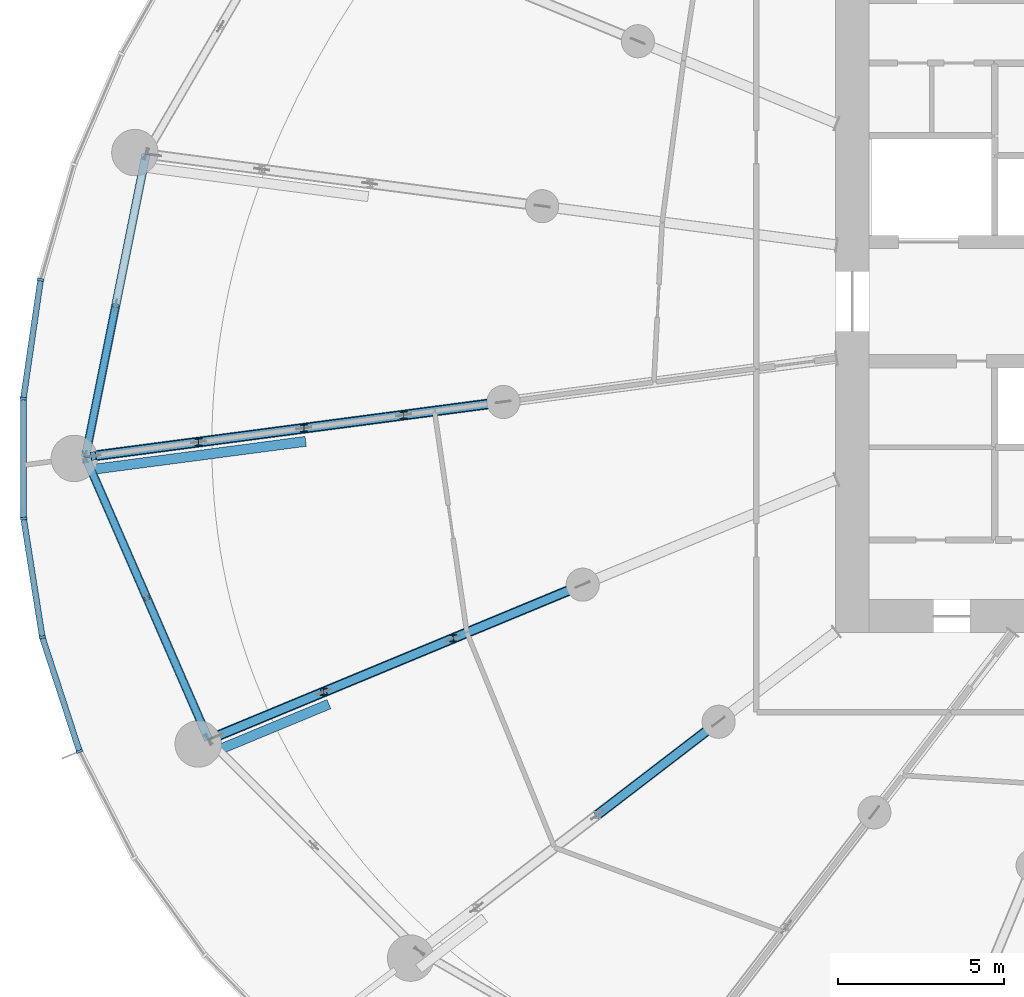
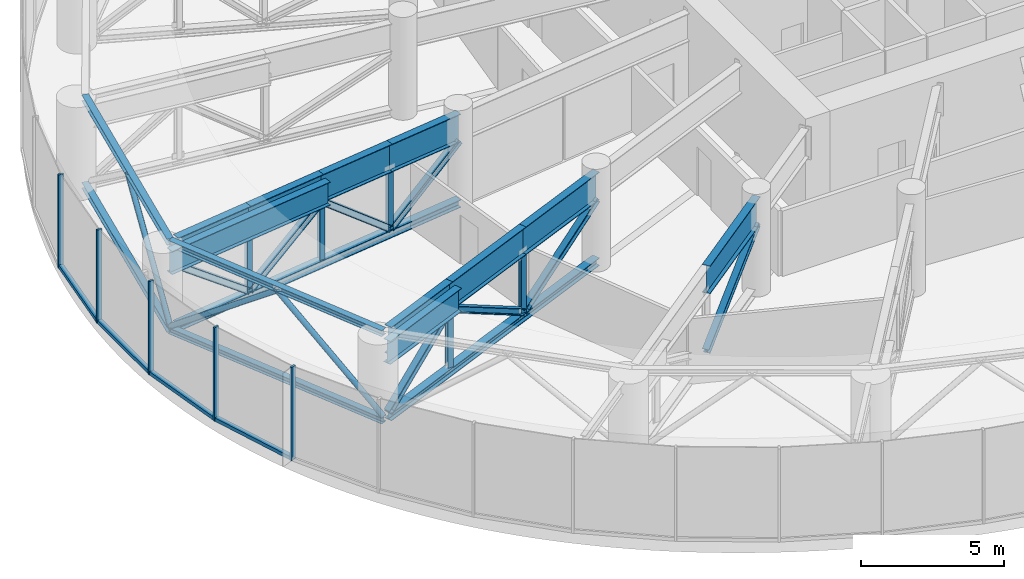
# One storey, part 4 of 42: 31 members, 10 beams, 2 elements without a shape of their own.
"""IFC4 building model written with IfcOpenShell, lengths in metres."""

from ifc_helpers import new_model, si_unit, direction, frame, origin, origin_2d, place, context, subcontext, project, spatial, rectangle, hollow_circle, i_section, extrude, source, transform, mapped, material, layer, layer_set, material_profile, profile_set, type_object, element, aggregate, save


model = new_model("IFC4")

# Units and contexts
model_context = context("Model", 3, precision=1e-05, world=origin(), true_north=direction((0.0, 1.0)))
body_context = subcontext(model_context, "Body", "Model", "MODEL_VIEW")
ifc_project = project(units=[si_unit("LENGTHUNIT", "METRE"), si_unit("AREAUNIT", "SQUARE_METRE"), si_unit("VOLUMEUNIT", "CUBIC_METRE"), si_unit("PLANEANGLEUNIT", "RADIAN"), si_unit("MASSUNIT", "GRAM", prefix="KILO")], contexts=[model_context])

# Site, building, storey
site_placement = place(None, origin())
site = spatial("IfcSite", under=ifc_project, at=site_placement, CompositionType="ELEMENT")
building_placement = place(site_placement, origin())
building = spatial("IfcBuilding", under=site, at=building_placement, Name="Spindrift Exchange Tower", CompositionType="ELEMENT")
storey_placement = place(building_placement, frame((0.0, 0.0, 75.39990234375)))
storey = spatial("IfcBuildingStorey", under=building, at=storey_placement, Name="L17", CompositionType="ELEMENT", Elevation=75.39990234375)

# Beams
ifc_material_1 = material(Name="Steel Grade 300", Category="steel")
ifc_material_profile_1 = material_profile(ifc_material_1, i_section(OverallWidth=0.300048828125, OverallDepth=1.199951171875, WebThickness=0.011962890625, FlangeThickness=0.028076171875, at=origin_2d()), Name="1200WB249")
ifc_profile_set_1 = profile_set([ifc_material_profile_1], Name="Steel Grade 300")
beam_type_1 = type_object("IfcBeamType", Name="Outrigger Truss Transfer Girder 1200WB249 Steel Grade 300", PredefinedType="BEAM", material=ifc_profile_set_1)
shared_shape_1 = source(origin(), body_context, "Body", "SweptSolid", [
    extrude(i_section(OverallWidth=0.300048828125, OverallDepth=1.199951171875, WebThickness=0.011962890625, FlangeThickness=0.028076171875, at=origin_2d()), origin(), (0.0, 0.0, 1.0), 3.037109375),
])
for number, where, z_axis, x_axis, name in (
    (1, (28.966064453125, 44.967529296875, 3.400146484375), (-0.991442800606, -0.130541844348, 0.0), (0.130541844348, -0.991442800606, 0.0), "L17 outrigger truss 13 top chord 2"),
    (2, (25.954833984375, 44.571044921875, 3.400146484375), (-0.991453201107, -0.130462830014, 0.0), (0.130462830014, -0.991453201107, 0.0), "L17 outrigger truss 13 top chord 3"),
):
    element("IfcBeam", number, at=place(storey_placement, frame(where, z_axis=z_axis, x_axis=x_axis)), inside=storey, type_object=beam_type_1, Name=name, PredefinedType="BEAM", context=body_context, shape_type="MappedRepresentation", body=[
        mapped(shared_shape_1, transform((0.0, 0.0, 0.0), scale=1.0)),
    ])

# Members
ifc_material_profile_2 = material_profile(ifc_material_1, i_section(OverallWidth=0.31103515625, OverallDepth=0.326904296875, WebThickness=0.015625, FlangeThickness=0.02490234375, FilletRadius=0.0166015625, at=origin_2d()), Name="310UC158")
ifc_profile_set_2 = profile_set([ifc_material_profile_2], Name="Steel Grade 300")
member_type_1 = type_object("IfcMemberType", Name="Outrigger Truss Chord 310UC158 Steel Grade 300", PredefinedType="CHORD", material=ifc_profile_set_2)
shared_shape_2 = source(origin(), body_context, "Body", "SweptSolid", [
    extrude(i_section(OverallWidth=0.31103515625, OverallDepth=0.326904296875, WebThickness=0.015625, FlangeThickness=0.02490234375, FilletRadius=0.0166015625, at=origin_2d()), origin(), (0.0, 0.0, 1.0), 12.48828125),
])
member_1_placement = place(storey_placement, frame((28.966064453125, 44.967529296875, 0.16357421875), z_axis=(-0.991443912028, -0.130533403017, 0.0), x_axis=(0.130533403017, -0.991443912028, 0.0)))
element("IfcMember", 3, at=member_1_placement, inside=storey, type_object=member_type_1, Name="L17 outrigger truss 13 bottom chord 2", PredefinedType="CHORD", context=body_context, shape_type="MappedRepresentation", body=[
    mapped(shared_shape_2, transform((0.0, 0.0, 0.0), scale=1.0)),
])
ifc_material_profile_3 = material_profile(ifc_material_1, i_section(OverallWidth=0.256103515625, OverallDepth=0.260009765625, WebThickness=0.010498046875, FlangeThickness=0.017333984375, FilletRadius=0.011962890625, at=origin_2d()), Name="250UC89.5")
ifc_profile_set_3 = profile_set([ifc_material_profile_3], Name="Steel Grade 300")
member_type_2 = type_object("IfcMemberType", Name="Outrigger Truss Diagonal 250UC89.5 Steel Grade 300", PredefinedType="BRACE", material=ifc_profile_set_3)
shared_shape_3 = source(origin(), body_context, "Body", "SweptSolid", [
    extrude(i_section(OverallWidth=0.256103515625, OverallDepth=0.260009765625, WebThickness=0.010498046875, FlangeThickness=0.017333984375, FilletRadius=0.011962890625, at=origin_2d()), origin(), (0.0, 0.0, 1.0), 3.91650390625),
])
for number, where, z_axis, x_axis, name in (
    (4, (28.966064453125, 44.967529296875, 2.800048828125), (-0.768833136308, -0.101231150751, -0.631385668694), (0.130541844348, -0.991442800606, 0.0), "L17 outrigger truss 13 diagonal 2"),
    (5, (25.954833984375, 44.571044921875, 0.3271484375), (-0.768837986343, -0.101169454503, 0.631389651667), (0.130462830014, -0.991453201107, 0.0), "L17 outrigger truss 13 diagonal 3"),
):
    element("IfcMember", number, at=place(storey_placement, frame(where, z_axis=z_axis, x_axis=x_axis)), inside=storey, type_object=member_type_2, Name=name, PredefinedType="BRACE", context=body_context, shape_type="MappedRepresentation", body=[
        mapped(shared_shape_3, transform((0.0, 0.0, 0.0), scale=1.0)),
    ])

# Beams
shared_shape_4 = source(origin(), body_context, "Body", "SweptSolid", [
    extrude(i_section(OverallWidth=0.300048828125, OverallDepth=1.199951171875, WebThickness=0.011962890625, FlangeThickness=0.028076171875, at=origin_2d()), origin(), (0.0, 0.0, 1.0), 3.206787109375),
])
for number, where, z_axis, x_axis, name in (
    (6, (22.943603515625, 44.1748046875, 3.400146484375), (-0.991440037938, -0.130562824623, 0.0), (0.130562824623, -0.991440037938, 0.0), "L17 outrigger truss 13 top chord 4"),
    (7, (19.76416015625, 43.756103515625, 3.400146484375), (-0.991440037938, -0.130562824623, 0.0), (0.130562824623, -0.991440037938, 0.0), "L17 outrigger truss 13 top chord 5"),
):
    element("IfcBeam", number, at=place(storey_placement, frame(where, z_axis=z_axis, x_axis=x_axis)), inside=storey, type_object=beam_type_1, Name=name, PredefinedType="BEAM", context=body_context, shape_type="MappedRepresentation", body=[
        mapped(shared_shape_4, transform((0.0, 0.0, 0.0), scale=1.0)),
    ])

# Members
shared_shape_5 = source(origin(), body_context, "Body", "SweptSolid", [
    extrude(i_section(OverallWidth=0.256103515625, OverallDepth=0.260009765625, WebThickness=0.010498046875, FlangeThickness=0.017333984375, FilletRadius=0.011962890625, at=origin_2d()), origin(), (0.0, 0.0, 1.0), 4.049560546875),
])
for number, where, z_axis, x_axis, name in (
    (8, (22.943603515625, 44.1748046875, 2.800048828125), (-0.785121769162, -0.103392753906, -0.610650264904), (0.130562824623, -0.991440037938, 0.0), "L17 outrigger truss 13 diagonal 4"),
    (9, (19.76416015625, 43.756103515625, 0.3271484375), (-0.785121769162, -0.103392753906, 0.610650264904), (0.130562824623, -0.991440037938, 0.0), "L17 outrigger truss 13 diagonal 5"),
):
    element("IfcMember", number, at=place(storey_placement, frame(where, z_axis=z_axis, x_axis=x_axis)), inside=storey, type_object=member_type_2, Name=name, PredefinedType="BRACE", context=body_context, shape_type="MappedRepresentation", body=[
        mapped(shared_shape_5, transform((0.0, 0.0, 0.0), scale=1.0)),
    ])
ifc_material_profile_4 = material_profile(ifc_material_1, i_section(OverallWidth=0.205078125, OverallDepth=0.2099609375, WebThickness=0.00927734375, FlangeThickness=0.01416015625, FilletRadius=0.012939453125, at=origin_2d()), Name="200UC59.5")
ifc_profile_set_4 = profile_set([ifc_material_profile_4], Name="Steel Grade 300")
member_type_3 = type_object("IfcMemberType", Name="Outrigger Truss Post 200UC59.5 Steel Grade 300", PredefinedType="POST", material=ifc_profile_set_4)
shared_shape_6 = source(origin(), body_context, "Body", "SweptSolid", [
    extrude(i_section(OverallWidth=0.205078125, OverallDepth=0.2099609375, WebThickness=0.00927734375, FlangeThickness=0.01416015625, FilletRadius=0.012939453125, at=origin_2d()), origin(), (0.0, 0.0, 1.0), 2.472900390625),
])
for number, where, z_axis, x_axis, name in (
    (10, (25.954833984375, 44.571044921875, 0.3271484375), (0.0, 0.0, 1.0), (1.0, 0.0, 0.0), "L17 outrigger truss 13 post 2"),
    (11, (22.943603515625, 44.1748046875, 0.3271484375), (0.0, 0.0, 1.0), (1.0, 0.0, 0.0), "L17 outrigger truss 13 post 3"),
    (12, (19.76416015625, 43.756103515625, 0.3271484375), (0.0, 0.0, 1.0), (1.0, 0.0, 0.0), "L17 outrigger truss 13 post 4"),
    (13, (27.45263671875, 37.83203125, 0.3271484375), (0.0, 0.0, 1.0), (1.0, 0.0, 0.0), "L17 outrigger truss 14 post 2"),
    (14, (23.54443359375, 36.21337890625, 0.3271484375), (0.0, 0.0, 1.0), (1.0, 0.0, 0.0), "L17 outrigger truss 14 post 3"),
):
    element("IfcMember", number, at=place(storey_placement, frame(where, z_axis=z_axis, x_axis=x_axis)), inside=storey, type_object=member_type_3, Name=name, PredefinedType="POST", context=body_context, shape_type="MappedRepresentation", body=[
        mapped(shared_shape_6, transform((0.0, 0.0, 0.0), scale=1.0)),
    ])

# Beam
shared_shape_7 = source(origin(), body_context, "Body", "SweptSolid", [
    extrude(i_section(OverallWidth=0.300048828125, OverallDepth=1.199951171875, WebThickness=0.011962890625, FlangeThickness=0.028076171875, at=origin_2d()), origin(), (0.0, 0.0, 1.0), 4.22998046875),
])
beam_1_placement = place(storey_placement, frame((31.360595703125, 39.450927734375, 3.400146484375), z_axis=(-0.923865584381, -0.382717104394, 0.0), x_axis=(0.382717104394, -0.923865584381, 0.0)))
element("IfcBeam", 15, at=beam_1_placement, inside=storey, type_object=beam_type_1, Name="L17 outrigger truss 14 top chord 2", PredefinedType="BEAM", context=body_context, shape_type="MappedRepresentation", body=[
    mapped(shared_shape_7, transform((0.0, 0.0, 0.0), scale=1.0)),
])

# Members
shared_shape_8 = source(origin(), body_context, "Body", "SweptSolid", [
    extrude(i_section(OverallWidth=0.31103515625, OverallDepth=0.326904296875, WebThickness=0.015625, FlangeThickness=0.02490234375, FilletRadius=0.0166015625, at=origin_2d()), origin(), (0.0, 0.0, 1.0), 11.98583984375),
])
member_2_placement = place(storey_placement, frame((31.360595703125, 39.450927734375, 0.16357421875), z_axis=(-0.923875820433, -0.382692393992, 0.0), x_axis=(0.382692393992, -0.923875820433, 0.0)))
element("IfcMember", 16, at=member_2_placement, inside=storey, type_object=member_type_1, Name="L17 outrigger truss 14 bottom chord 2", PredefinedType="CHORD", context=body_context, shape_type="MappedRepresentation", body=[
    mapped(shared_shape_8, transform((0.0, 0.0, 0.0), scale=1.0)),
])
shared_shape_9 = source(origin(), body_context, "Body", "SweptSolid", [
    extrude(i_section(OverallWidth=0.256103515625, OverallDepth=0.260009765625, WebThickness=0.010498046875, FlangeThickness=0.017333984375, FilletRadius=0.011962890625, at=origin_2d()), origin(), (0.0, 0.0, 1.0), 4.89990234375),
])
for number, where, z_axis, x_axis, name in (
    (17, (31.360595703125, 39.450927734375, 2.800048828125), (-0.79757245405, -0.330399384195, -0.504692408763), (0.382717104394, -0.923865584381, 0.0), "L17 outrigger truss 14 diagonal 2"),
    (18, (27.45263671875, 37.83203125, 0.3271484375), (-0.797603712474, -0.330341867423, 0.504680659898), (0.382647435687, -0.923894442002, 0.0), "L17 outrigger truss 14 diagonal 3"),
):
    element("IfcMember", number, at=place(storey_placement, frame(where, z_axis=z_axis, x_axis=x_axis)), inside=storey, type_object=member_type_2, Name=name, PredefinedType="BRACE", context=body_context, shape_type="MappedRepresentation", body=[
        mapped(shared_shape_9, transform((0.0, 0.0, 0.0), scale=1.0)),
    ])

# Beams
shared_shape_10 = source(origin(), body_context, "Body", "SweptSolid", [
    extrude(i_section(OverallWidth=0.300048828125, OverallDepth=1.199951171875, WebThickness=0.011962890625, FlangeThickness=0.028076171875, at=origin_2d()), origin(), (0.0, 0.0, 1.0), 4.230224609375),
])
beam_2_placement = place(storey_placement, frame((27.45263671875, 37.83203125, 3.400146484375), z_axis=(-0.923894442002, -0.382647435687, 0.0), x_axis=(0.382647435687, -0.923894442002, 0.0)))
element("IfcBeam", 19, at=beam_2_placement, inside=storey, type_object=beam_type_1, Name="L17 outrigger truss 14 top chord 3", PredefinedType="BEAM", context=body_context, shape_type="MappedRepresentation", body=[
    mapped(shared_shape_10, transform((0.0, 0.0, 0.0), scale=1.0)),
])
shared_shape_11 = source(origin(), body_context, "Body", "SweptSolid", [
    extrude(i_section(OverallWidth=0.300048828125, OverallDepth=1.199951171875, WebThickness=0.011962890625, FlangeThickness=0.028076171875, at=origin_2d()), origin(), (0.0, 0.0, 1.0), 3.525634765625),
])
beam_3_placement = place(storey_placement, frame((23.54443359375, 36.21337890625, 3.400146484375), z_axis=(-0.923865757221, -0.382716687165, 0.0), x_axis=(0.382716687165, -0.923865757221, 0.0)))
element("IfcBeam", 20, at=beam_3_placement, inside=storey, type_object=beam_type_1, Name="L17 outrigger truss 14 top chord 4", PredefinedType="BEAM", context=body_context, shape_type="MappedRepresentation", body=[
    mapped(shared_shape_11, transform((0.0, 0.0, 0.0), scale=1.0)),
])

# Member
shared_shape_12 = source(origin(), body_context, "Body", "SweptSolid", [
    extrude(i_section(OverallWidth=0.256103515625, OverallDepth=0.260009765625, WebThickness=0.010498046875, FlangeThickness=0.017333984375, FilletRadius=0.011962890625, at=origin_2d()), origin(), (0.0, 0.0, 1.0), 4.306640625),
])
member_3_placement = place(storey_placement, frame((23.54443359375, 36.21337890625, 2.800048828125), z_axis=(-0.756368975727, -0.313330185043, -0.574221357753), x_axis=(0.382716687165, -0.923865757221, 0.0)))
element("IfcMember", 21, at=member_3_placement, inside=storey, type_object=member_type_2, Name="L17 outrigger truss 14 diagonal 4", PredefinedType="BRACE", context=body_context, shape_type="MappedRepresentation", body=[
    mapped(shared_shape_12, transform((0.0, 0.0, 0.0), scale=1.0)),
])

# Beam
shared_shape_13 = source(origin(), body_context, "Body", "SweptSolid", [
    extrude(i_section(OverallWidth=0.300048828125, OverallDepth=1.199951171875, WebThickness=0.011962890625, FlangeThickness=0.028076171875, at=origin_2d()), origin(), (0.0, 0.0, 1.0), 4.609130859375),
])
beam_4_placement = place(storey_placement, frame((35.465087890625, 35.3125, 3.400146484375), z_axis=(-0.793334314075, -0.608786223654, 0.0), x_axis=(0.608786223654, -0.793334314075, 0.0)))
element("IfcBeam", 22, at=beam_4_placement, inside=storey, type_object=beam_type_1, Name="L17 outrigger truss 15 top chord 2", PredefinedType="BEAM", context=body_context, shape_type="MappedRepresentation", body=[
    mapped(shared_shape_13, transform((0.0, 0.0, 0.0), scale=1.0)),
])

# Members
shared_shape_14 = source(origin(), body_context, "Body", "SweptSolid", [
    extrude(i_section(OverallWidth=0.256103515625, OverallDepth=0.260009765625, WebThickness=0.010498046875, FlangeThickness=0.017333984375, FilletRadius=0.011962890625, at=origin_2d()), origin(), (0.0, 0.0, 1.0), 5.23046875),
])
member_4_placement = place(storey_placement, frame((35.465087890625, 35.3125, 2.800048828125), z_axis=(-0.699069373238, -0.53644950969, -0.472783179644), x_axis=(0.608786223654, -0.793334314075, 0.0)))
element("IfcMember", 23, at=member_4_placement, inside=storey, type_object=member_type_2, Name="L17 outrigger truss 15 diagonal 2", PredefinedType="BRACE", context=body_context, shape_type="MappedRepresentation", body=[
    mapped(shared_shape_14, transform((0.0, 0.0, 0.0), scale=1.0)),
])
ifc_material_profile_5 = material_profile(ifc_material_1, i_section(OverallWidth=0.256103515625, OverallDepth=0.260009765625, WebThickness=0.010498046875, FlangeThickness=0.017333984375, FilletRadius=0.011962890625, at=origin_2d()), Name="250UC89.5")
ifc_profile_set_5 = profile_set([ifc_material_profile_5], Name="Steel Grade 300")
member_type_4 = type_object("IfcMemberType", Name="Belt Truss Chord 250UC89.5 Steel Grade 300", PredefinedType="CHORD", material=ifc_profile_set_5)
shared_shape_15 = source(origin(), body_context, "Body", "SweptSolid", [
    extrude(i_section(OverallWidth=0.256103515625, OverallDepth=0.260009765625, WebThickness=0.010498046875, FlangeThickness=0.017333984375, FilletRadius=0.011962890625, at=origin_2d()), origin(), (0.0, 0.0, 1.0), 9.308837890625),
])
for number, where, z_axis, x_axis, name in (
    (24, (16.3466796875, 43.30615234375, 3.8701171875), (0.399457703122, -0.916751625805, 0.0), (0.916751625805, 0.399457703122, 0.0), "L17 belt truss 13 top chord"),
    (25, (16.3466796875, 43.30615234375, 0.130126953125), (0.399457703122, -0.916751625805, 0.0), (0.916751625805, 0.399457703122, 0.0), "L17 belt truss 13 bottom chord"),
):
    element("IfcMember", number, at=place(storey_placement, frame(where, z_axis=z_axis, x_axis=x_axis)), inside=storey, type_object=member_type_4, Name=name, PredefinedType="CHORD", context=body_context, shape_type="MappedRepresentation", body=[
        mapped(shared_shape_15, transform((0.0, 0.0, 0.0), scale=1.0)),
    ])
ifc_material_2 = material(Name="Steel Grade 350", Category="steel")
ifc_material_profile_6 = material_profile(ifc_material_2, hollow_circle(Radius=0.109619140625, WallThickness=0.00830078125, at=origin_2d()), Name="219.1x8.2CHS")
ifc_profile_set_6 = profile_set([ifc_material_profile_6], Name="Steel Grade 350")
member_type_5 = type_object("IfcMemberType", Name="Belt Truss Diagonal 219.1x8.2CHS Steel Grade 350", PredefinedType="BRACE", material=ifc_profile_set_6)
shared_shape_16 = source(origin(), body_context, "Body", "SweptSolid", [
    extrude(hollow_circle(Radius=0.109619140625, WallThickness=0.00830078125, at=origin_2d()), origin(), (0.0, 0.0, 1.0), 5.8115234375),
])
for number, where, z_axis, x_axis, name in (
    (26, (16.3466796875, 43.30615234375, 0.260009765625), (0.319947615154, -0.734207519702, 0.598809520274), (0.916737835901, 0.399489349329, 0.0), "L17 belt truss 13 diagonal 1"),
    (27, (18.2060546875, 39.039306640625, 3.739990234375), (0.31990003748, -0.734236750502, -0.59879909839), (0.916765414243, 0.399426057298, 0.0), "L17 belt truss 13 diagonal 2"),
):
    element("IfcMember", number, at=place(storey_placement, frame(where, z_axis=z_axis, x_axis=x_axis)), inside=storey, type_object=member_type_5, Name=name, PredefinedType="BRACE", context=body_context, shape_type="MappedRepresentation", body=[
        mapped(shared_shape_16, transform((0.0, 0.0, 0.0), scale=1.0)),
    ])
shared_shape_17 = source(origin(), body_context, "Body", "SweptSolid", [
    extrude(i_section(OverallWidth=0.256103515625, OverallDepth=0.260009765625, WebThickness=0.010498046875, FlangeThickness=0.017333984375, FilletRadius=0.011962890625, at=origin_2d()), origin(), (0.0, 0.0, 1.0), 9.327880859375),
])
for number, where, z_axis, x_axis, name in (
    (28, (18.17578125, 52.452880859375, 3.8701171875), (-0.196090968361, -0.98058570871, 0.0), (0.98058570871, -0.196090968361, 0.0), "L17 belt truss 12 top chord"),
    (29, (18.17578125, 52.452880859375, 0.130126953125), (-0.196090968361, -0.98058570871, 0.0), (0.98058570871, -0.196090968361, 0.0), "L17 belt truss 12 bottom chord"),
):
    element("IfcMember", number, at=place(storey_placement, frame(where, z_axis=z_axis, x_axis=x_axis)), inside=storey, type_object=member_type_4, Name=name, PredefinedType="CHORD", context=body_context, shape_type="MappedRepresentation", body=[
        mapped(shared_shape_17, transform((0.0, 0.0, 0.0), scale=1.0)),
    ])
shared_shape_18 = source(origin(), body_context, "Body", "SweptSolid", [
    extrude(hollow_circle(Radius=0.109619140625, WallThickness=0.00830078125, at=origin_2d()), origin(), (0.0, 0.0, 1.0), 5.8193359375),
])
member_5_placement = place(storey_placement, frame((17.26123046875, 47.879638671875, 3.739990234375), z_axis=(-0.157160086849, -0.785926296568, -0.598013848891), x_axis=(0.980586715082, -0.196085935766, 0.0)))
element("IfcMember", 30, at=member_5_placement, inside=storey, type_object=member_type_5, Name="L17 belt truss 12 diagonal 2", PredefinedType="BRACE", context=body_context, shape_type="MappedRepresentation", body=[
    mapped(shared_shape_18, transform((0.0, 0.0, 0.0), scale=1.0)),
])

# Beams
ifc_material_profile_7 = material_profile(ifc_material_1, i_section(OverallWidth=0.300048828125, OverallDepth=1.0, WebThickness=0.010009765625, FlangeThickness=0.02001953125, at=origin_2d()), Name="1000WB215")
ifc_profile_set_7 = profile_set([ifc_material_profile_7], Name="Steel Grade 300")
beam_type_2 = type_object("IfcBeamType", Name="Transfer Tie Beam 1000WB215 Steel Grade 300", PredefinedType="BEAM", material=ifc_profile_set_7)
shared_shape_19 = source(origin(), body_context, "Body", "SweptSolid", [
    extrude(i_section(OverallWidth=0.300048828125, OverallDepth=1.0, WebThickness=0.010009765625, FlangeThickness=0.02001953125, at=origin_2d()), origin(), (0.0, 0.0, 1.0), 6.993896484375),
])
beam_5_placement = place(storey_placement, frame((16.061767578125, 42.865234375, 3.400146484375), z_axis=(0.991445738791, 0.130519527404, 0.0), x_axis=(-0.130519527404, 0.991445738791, 0.0)))
element("IfcBeam", 31, at=beam_5_placement, inside=storey, type_object=beam_type_2, Name="L17 transfer tie beam K13", PredefinedType="BEAM", context=body_context, shape_type="MappedRepresentation", body=[
    mapped(shared_shape_19, transform((0.0, 0.0, 0.0), scale=1.0)),
])
shared_shape_20 = source(origin(), body_context, "Body", "SweptSolid", [
    extrude(i_section(OverallWidth=0.300048828125, OverallDepth=1.0, WebThickness=0.010009765625, FlangeThickness=0.02001953125, at=origin_2d()), origin(), (0.0, 0.0, 1.0), 4.105712890625),
])
beam_6_placement = place(storey_placement, frame((19.904296875, 34.2724609375, 3.400146484375), z_axis=(0.923871882362, 0.382701900938, 0.0), x_axis=(-0.382701900938, 0.923871882362, 0.0)))
element("IfcBeam", 32, at=beam_6_placement, inside=storey, type_object=beam_type_2, Name="L17 transfer tie beam K14", PredefinedType="BEAM", context=body_context, shape_type="MappedRepresentation", body=[
    mapped(shared_shape_20, transform((0.0, 0.0, 0.0), scale=1.0)),
])

# Curtain wall, members
ifc_material_3 = material(Name="Fritted laminated glass with bronze frame", Category="glass")
ifc_layer = layer(ifc_material_3, 0.199951171875)
ifc_layer_set = layer_set([ifc_layer], Name="ZONE 1 BRONZE FRITTED WALL")
curtain_wall_type = type_object("IfcCurtainWallType", Name="ZONE 1 BRONZE FRITTED WALL", PredefinedType="NOTDEFINED", material=ifc_layer_set)
curtain_wall_1_placement = place(storey_placement, origin())
curtain_wall_1 = element("IfcCurtainWall", 33, at=curtain_wall_1_placement, inside=storey, type_object=curtain_wall_type, Name="L17 Zone 1 Bronze Fritted Wall run 5", PredefinedType="NOTDEFINED")
ifc_material_4 = material(Name="Bronze anodised aluminium", Category="aluminium")
ifc_material_profile_8 = material_profile(ifc_material_4, rectangle(XDim=0.179931640625, YDim=0.14990234375, at=origin_2d()), Name="ZONE 1 BRONZE FRITTED WALL TRANSOM 180X150")
ifc_profile_set_8 = profile_set([ifc_material_profile_8], Name="Bronze anodised aluminium")
member_type_6 = type_object("IfcMemberType", Name="ZONE 1 BRONZE FRITTED WALL TRANSOM 180X150", PredefinedType="USERDEFINED", material=ifc_profile_set_8)
shared_shape_21 = source(origin(), body_context, "Body", "SweptSolid", [
    extrude(rectangle(XDim=0.179931640625, YDim=0.14990234375, at=origin_2d()), origin(), (0.0, 0.0, 1.0), 3.54443359375),
])
member_6_placement = place(storey_placement, frame((14.486572265625, 41.4072265625, 0.0751953125), z_axis=(0.155467346003, -0.987841031911, 0.0), x_axis=(0.987841031911, 0.155467346003, 0.0)))
member_6 = element("IfcMember", 34, at=member_6_placement, type_object=member_type_6, Name="L17 transom CW-1.29", ObjectType="TRANSOM", PredefinedType="USERDEFINED", context=body_context, shape_type="MappedRepresentation", body=[
    mapped(shared_shape_21, transform((0.0, 0.0, 0.0), scale=1.0)),
])
member_7_placement = place(storey_placement, frame((15.05615234375, 37.828369140625, 0.0751953125), z_axis=(0.309752600543, -0.950817188768, 0.0), x_axis=(0.950817188768, 0.309752600543, 0.0)))
member_7 = element("IfcMember", 35, at=member_7_placement, type_object=member_type_6, Name="L17 transom CW-1.30", ObjectType="TRANSOM", PredefinedType="USERDEFINED", context=body_context, shape_type="MappedRepresentation", body=[
    mapped(shared_shape_21, transform((0.0, 0.0, 0.0), scale=1.0)),
])
shared_shape_22 = source(origin(), body_context, "Body", "SweptSolid", [
    extrude(rectangle(XDim=0.179931640625, YDim=0.14990234375, at=origin_2d()), origin(), (0.0, 0.0, 1.0), 3.545166015625),
])
member_8_placement = place(storey_placement, frame((14.98828125, 48.61962890625, 0.0751953125), z_axis=(-0.143580581866, -0.989638629254, 0.0), x_axis=(0.989638629254, -0.143580581866, 0.0)))
member_8 = element("IfcMember", 36, at=member_8_placement, type_object=member_type_6, Name="L17 transom CW-1.27", ObjectType="TRANSOM", PredefinedType="USERDEFINED", context=body_context, shape_type="MappedRepresentation", body=[
    mapped(shared_shape_22, transform((0.0, 0.0, 0.0), scale=1.0)),
])
shared_shape_23 = source(origin(), body_context, "Body", "SweptSolid", [
    extrude(rectangle(XDim=0.179931640625, YDim=0.14990234375, at=origin_2d()), origin(), (0.0, 0.0, 1.0), 3.544677734375),
])
member_9_placement = place(storey_placement, frame((14.4736328125, 45.031494140625, 0.0751953125), z_axis=(0.001859628991, -0.999998270889, 0.0), x_axis=(0.999998270889, 0.001859628991, 0.0)))
member_9 = element("IfcMember", 37, at=member_9_placement, type_object=member_type_6, Name="L17 transom CW-1.28", ObjectType="TRANSOM", PredefinedType="USERDEFINED", context=body_context, shape_type="MappedRepresentation", body=[
    mapped(shared_shape_23, transform((0.0, 0.0, 0.0), scale=1.0)),
])
ifc_material_profile_9 = material_profile(ifc_material_4, rectangle(XDim=0.080078125, YDim=0.199951171875, at=origin_2d()), Name="ZONE 1 BRONZE FRITTED WALL MULLION 80X200")
ifc_profile_set_9 = profile_set([ifc_material_profile_9], Name="Bronze anodised aluminium")
member_type_7 = type_object("IfcMemberType", Name="ZONE 1 BRONZE FRITTED WALL MULLION 80X200", PredefinedType="MULLION", material=ifc_profile_set_9)
shared_shape_24 = source(origin(), body_context, "Body", "SweptSolid", [
    extrude(rectangle(XDim=0.080078125, YDim=0.199951171875, at=origin_2d()), origin(), (0.0, 0.0, 1.0), 4.0),
])
member_10_placement = place(storey_placement, frame((14.994140625, 48.6591796875, 0.0), z_axis=(0.0, 0.0, 1.0), x_axis=(-0.210287159748, -0.977639662885, 0.0)))
member_10 = element("IfcMember", 38, at=member_10_placement, type_object=member_type_7, Name="L17 mullion CW-1.27", PredefinedType="MULLION", context=body_context, shape_type="MappedRepresentation", body=[
    mapped(shared_shape_24, transform((0.0, 0.0, 0.0), scale=1.0)),
])
member_11_placement = place(storey_placement, frame((14.4736328125, 45.071533203125, 0.0), z_axis=(0.0, 0.0, 1.0), x_axis=(-0.071052797719, -0.997472555982, 0.0)))
member_11 = element("IfcMember", 39, at=member_11_placement, type_object=member_type_7, Name="L17 mullion CW-1.28", PredefinedType="MULLION", context=body_context, shape_type="MappedRepresentation", body=[
    mapped(shared_shape_24, transform((0.0, 0.0, 0.0), scale=1.0)),
])
member_12_placement = place(storey_placement, frame((14.480224609375, 41.44677734375, 0.0), z_axis=(0.0, 0.0, 1.0), x_axis=(0.078880608551, -0.996884070288, 0.0)))
member_12 = element("IfcMember", 40, at=member_12_placement, type_object=member_type_7, Name="L17 mullion CW-1.29", PredefinedType="MULLION", context=body_context, shape_type="MappedRepresentation", body=[
    mapped(shared_shape_24, transform((0.0, 0.0, 0.0), scale=1.0)),
])
member_13_placement = place(storey_placement, frame((15.043701171875, 37.866455078125, 0.0), z_axis=(0.0, 0.0, 1.0), x_axis=(0.233339848705, -0.97239524629, 0.0)))
member_13 = element("IfcMember", 41, at=member_13_placement, type_object=member_type_7, Name="L17 mullion CW-1.30", PredefinedType="MULLION", context=body_context, shape_type="MappedRepresentation", body=[
    mapped(shared_shape_24, transform((0.0, 0.0, 0.0), scale=1.0)),
])
aggregate(curtain_wall_1, [member_10, member_8, member_11, member_9, member_12, member_6, member_13, member_7])

# Curtain wall, member
curtain_wall_2_placement = place(storey_placement, origin())
curtain_wall_2 = element("IfcCurtainWall", 42, at=curtain_wall_2_placement, inside=storey, type_object=curtain_wall_type, Name="L17 Zone 1 Bronze Fritted Wall run 6", PredefinedType="NOTDEFINED")
member_14_placement = place(storey_placement, frame((16.16650390625, 34.42041015625, 0.0), z_axis=(0.0, 0.0, 1.0), x_axis=(0.384224430018, -0.923239723678, 0.0)))
member_14 = element("IfcMember", 43, at=member_14_placement, type_object=member_type_7, Name="L17 mullion CW-1.31", PredefinedType="MULLION", context=body_context, shape_type="MappedRepresentation", body=[
    mapped(shared_shape_24, transform((0.0, 0.0, 0.0), scale=1.0)),
])
aggregate(curtain_wall_2, [member_14])

save(model, "model.ifc")
